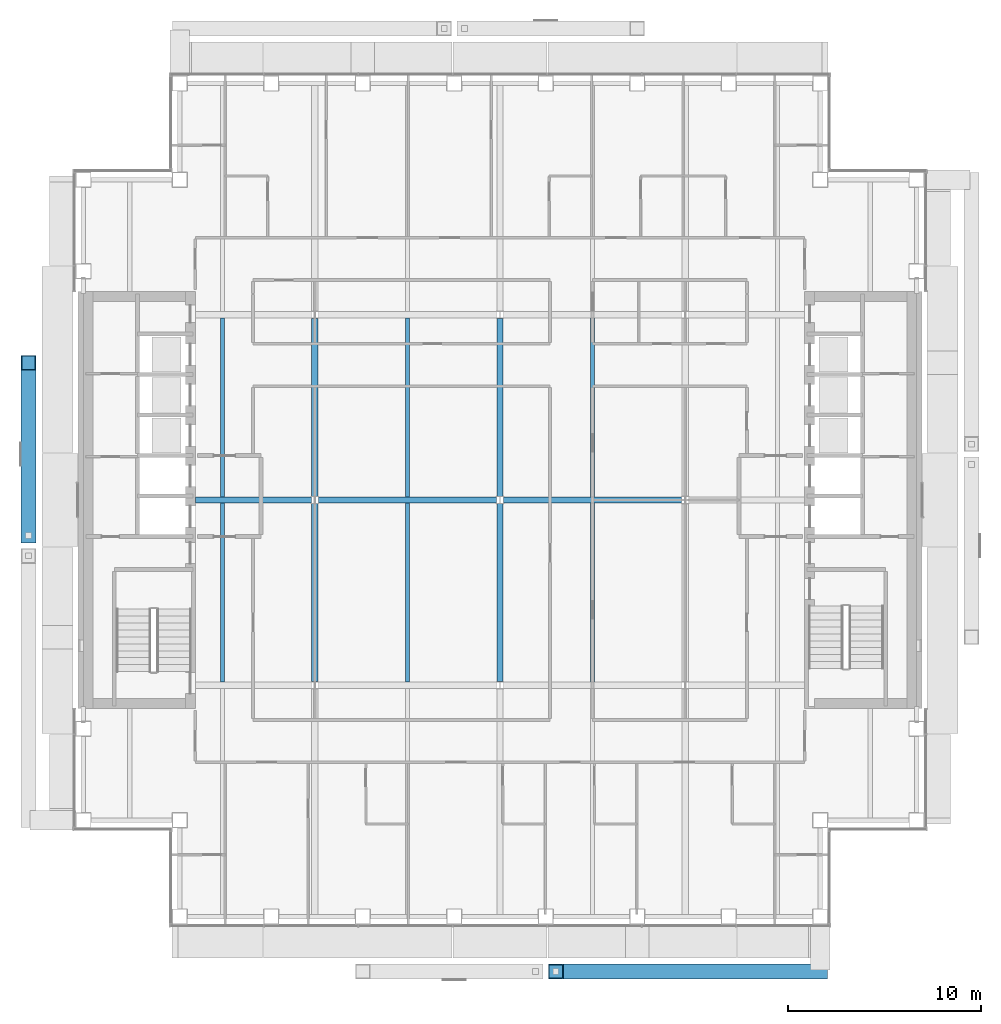
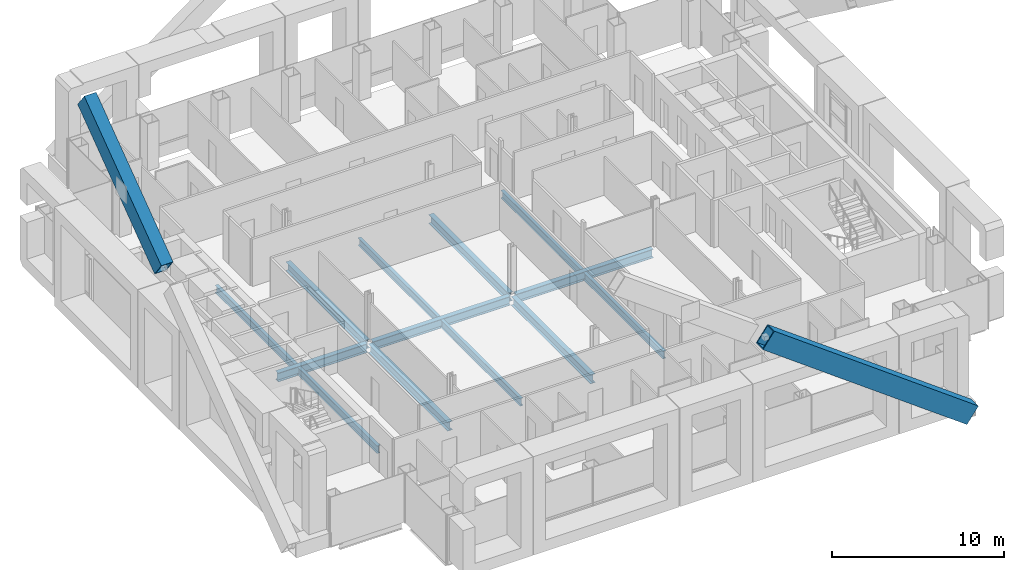
# One storey, part 5 of 22: 13 beams, 2 members.
"""IFC4 building model written with IfcOpenShell, lengths in metres."""

from ifc_helpers import new_model, si_unit, direction, frame, origin, origin_2d, place, context, subcontext, project, spatial, hollow_rectangle, i_section, extrude, material, material_profile, profile_set, type_object, element, save


model = new_model("IFC4")

# Units and contexts
model_context = context("Model", 3, precision=1e-05, world=origin(), true_north=direction((0.0, 1.0)))
body_context = subcontext(model_context, "Body", "Model", "MODEL_VIEW")
ifc_project = project(units=[si_unit("LENGTHUNIT", "METRE"), si_unit("AREAUNIT", "SQUARE_METRE"), si_unit("VOLUMEUNIT", "CUBIC_METRE"), si_unit("PLANEANGLEUNIT", "RADIAN"), si_unit("MASSUNIT", "GRAM", prefix="KILO")], contexts=[model_context])

# Site, building, storey
site_placement = place(None, origin())
site = spatial("IfcSite", under=ifc_project, at=site_placement, CompositionType="ELEMENT")
building_placement = place(site_placement, origin())
building = spatial("IfcBuilding", under=site, at=building_placement, Name="Cobrizo Arcos Hotel Tower", CompositionType="ELEMENT")
storey_placement = place(building_placement, frame((0.0, 0.0, 162.0)))
storey = spatial("IfcBuildingStorey", under=building, at=storey_placement, Name="L41", CompositionType="ELEMENT", Elevation=162.0)

# Members
ifc_material_1 = material(Name="Steel ASTM A572 Grade 50", Category="steel")
ifc_material_profile_1 = material_profile(ifc_material_1, hollow_rectangle(XDim=0.800048828125, YDim=1.300048828125, WallThickness=0.06005859375, at=origin_2d()), Name="BOX 800X1300X60")
ifc_profile_set_1 = profile_set([ifc_material_profile_1], Name="Steel ASTM A572 Grade 50")
member_type = type_object("IfcMemberType", Name="BOX 800X1300X60 perimeter brace", PredefinedType="BRACE", material=ifc_profile_set_1)
member_1_placement = place(storey_placement, frame((16.60009765625, -24.449951171875, 0.5), z_axis=(-0.804630166974, 0.0, 0.593776299961), x_axis=(0.0, -1.0, 0.0)))
element("IfcMember", 1, at=member_1_placement, inside=storey, type_object=member_type, Name="Perimeter brace PBR3, zone Z3, south face, no. 09", PredefinedType="BRACE", context=body_context, shape_type="SweptSolid", body=[
    extrude(hollow_rectangle(XDim=0.800048828125, YDim=1.300048828125, WallThickness=0.06005859375, at=origin_2d()), origin(), (0.0, 0.0, 1.0), 17.033447265625),
])
member_2_placement = place(storey_placement, frame((-24.449951171875, -1.84814453125, 11.385986328125), z_axis=(0.0, 0.804620954099, 0.593788784186), x_axis=(-1.0, 0.0, 0.0)))
element("IfcMember", 2, at=member_2_placement, inside=storey, type_object=member_type, Name="Perimeter brace PBR3, zone Z3, west face, no. 09b", PredefinedType="BRACE", context=body_context, shape_type="SweptSolid", body=[
    extrude(hollow_rectangle(XDim=0.800048828125, YDim=1.300048828125, WallThickness=0.06005859375, at=origin_2d()), origin(), (0.0, 0.0, 1.0), 11.138671875),
])

# Beams
ifc_material_2 = material(Name="Steel ASTM A992 Grade 50", Category="steel")
ifc_material_profile_2 = material_profile(ifc_material_2, i_section(OverallWidth=0.209228515625, OverallDepth=0.533447265625, WebThickness=0.01025390625, FlangeThickness=0.015625, at=origin_2d()), Name="W21X62")
ifc_profile_set_2 = profile_set([ifc_material_profile_2], Name="Steel ASTM A992 Grade 50")
beam_type_1 = type_object("IfcBeamType", Name="W21X62 joist", PredefinedType="JOIST", material=ifc_profile_set_2)
for number, where, z_axis, x_axis, name in (
    (3, (-14.39990234375, -9.43603515625, -0.416748046875), (0.0, 1.0, 0.0), (-1.0, 0.0, 0.0), "Floor joist J1, L41, no. 004"),
    (4, (-14.39990234375, 0.163818359375, -0.416748046875), (0.0, 1.0, 0.0), (-1.0, 0.0, 0.0), "Floor joist J1, L41, no. 005"),
    (5, (-4.800048828125, -9.43603515625, -0.416748046875), (0.0, 1.0, 0.0), (-1.0, 0.0, 0.0), "Floor joist J1, L41, no. 008"),
    (6, (-4.800048828125, 0.163818359375, -0.416748046875), (0.0, 1.0, 0.0), (-1.0, 0.0, 0.0), "Floor joist J1, L41, no. 009"),
    (7, (4.800048828125, -9.43603515625, -0.416748046875), (0.0, 1.0, 0.0), (-1.0, 0.0, 0.0), "Floor joist J1, L41, no. 012"),
    (8, (4.800048828125, 0.163818359375, -0.416748046875), (0.0, 1.0, 0.0), (-1.0, 0.0, 0.0), "Floor joist J1, L41, no. 013"),
):
    element("IfcBeam", number, at=place(storey_placement, frame(where, z_axis=z_axis, x_axis=x_axis)), inside=storey, type_object=beam_type_1, Name=name, PredefinedType="JOIST", context=body_context, shape_type="SweptSolid", body=[
        extrude(i_section(OverallWidth=0.209228515625, OverallDepth=0.533447265625, WebThickness=0.01025390625, FlangeThickness=0.015625, at=origin_2d()), origin(), (0.0, 0.0, 1.0), 9.272216796875),
    ])
ifc_material_profile_3 = material_profile(ifc_material_2, i_section(OverallWidth=0.32763671875, OverallDepth=0.622314453125, WebThickness=0.015380859375, FlangeThickness=0.0244140625, at=origin_2d()), Name="W24X131")
ifc_profile_set_3 = profile_set([ifc_material_profile_3], Name="Steel ASTM A992 Grade 50")
beam_type_2 = type_object("IfcBeamType", Name="W24X131 girder", PredefinedType="BEAM", material=ifc_profile_set_3)
beam_placement = place(storey_placement, frame((-15.7900390625, 0.0, -0.461181640625), z_axis=(1.0, 0.0, 0.0), x_axis=(0.0, 1.0, 0.0)))
element("IfcBeam", 9, at=beam_placement, inside=storey, type_object=beam_type_2, Name="Floor girder G1, L41, no. 005", PredefinedType="BEAM", context=body_context, shape_type="SweptSolid", body=[
    extrude(i_section(OverallWidth=0.32763671875, OverallDepth=0.622314453125, WebThickness=0.015380859375, FlangeThickness=0.0244140625, at=origin_2d()), origin(), (0.0, 0.0, 1.0), 6.00341796875),
])
for number, where, z_axis, x_axis, name in (
    (10, (-9.413330078125, 0.0, -0.461181640625), (1.0, 0.0, 0.0), (0.0, 1.0, 0.0), "Floor girder G1, L41, no. 006"),
    (11, (0.186767578125, 0.0, -0.461181640625), (1.0, 0.0, 0.0), (0.0, 1.0, 0.0), "Floor girder G1, L41, no. 007"),
    (12, (-9.60009765625, -9.413330078125, -0.461181640625), (0.0, 1.0, 0.0), (-1.0, 0.0, 0.0), "Floor girder G1, L41, no. 014"),
    (13, (-9.60009765625, 0.186767578125, -0.461181640625), (0.0, 1.0, 0.0), (-1.0, 0.0, 0.0), "Floor girder G1, L41, no. 015"),
    (14, (0.0, -9.413330078125, -0.461181640625), (0.0, 1.0, 0.0), (-1.0, 0.0, 0.0), "Floor girder G1, L41, no. 018"),
    (15, (0.0, 0.186767578125, -0.461181640625), (0.0, 1.0, 0.0), (-1.0, 0.0, 0.0), "Floor girder G1, L41, no. 019"),
):
    element("IfcBeam", number, at=place(storey_placement, frame(where, z_axis=z_axis, x_axis=x_axis)), inside=storey, type_object=beam_type_2, Name=name, PredefinedType="BEAM", context=body_context, shape_type="SweptSolid", body=[
        extrude(i_section(OverallWidth=0.32763671875, OverallDepth=0.622314453125, WebThickness=0.015380859375, FlangeThickness=0.0244140625, at=origin_2d()), origin(), (0.0, 0.0, 1.0), 9.2265625),
    ])

save(model, "model.ifc")
